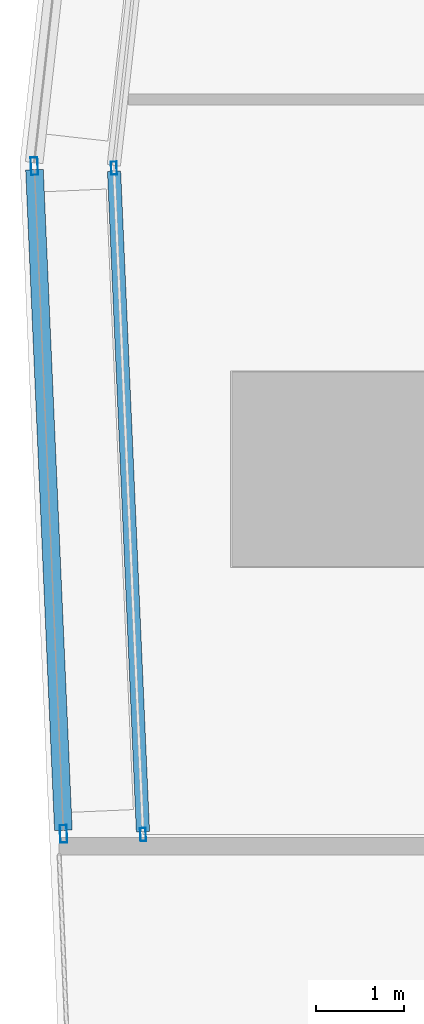
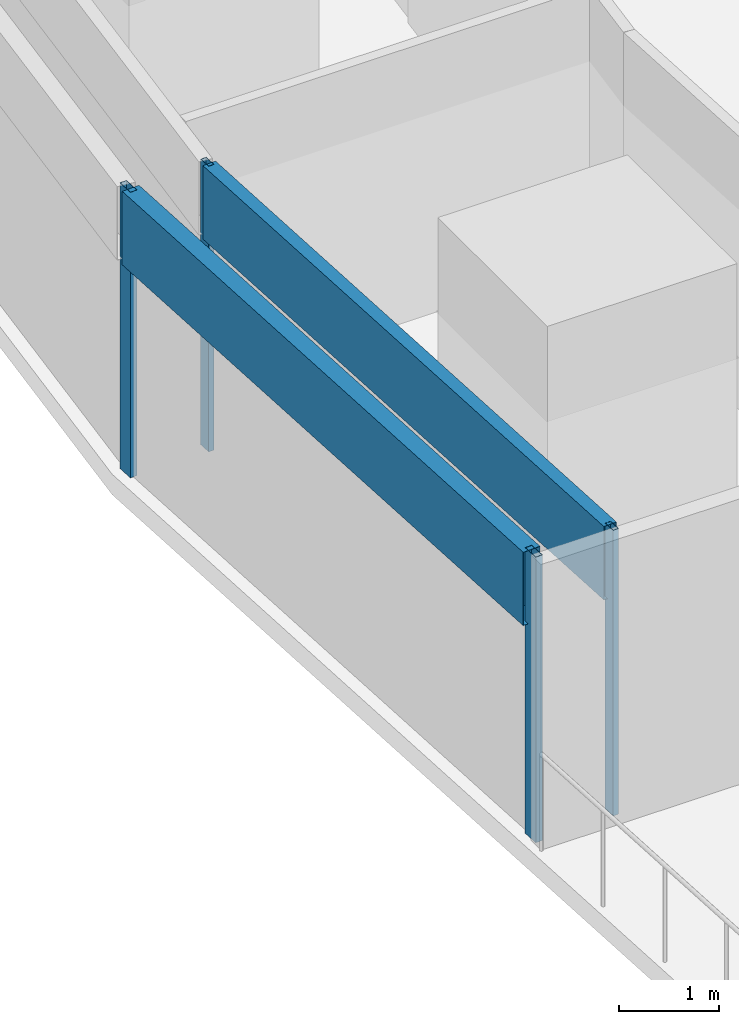
# One storey, part 12 of 42: 6 members, 2 elements without a shape of their own.
"""IFC4 building model written with IfcOpenShell, lengths in metres."""

from ifc_helpers import new_model, si_unit, direction, frame, origin, origin_2d, place, context, subcontext, project, spatial, hollow_rectangle, extrude, material, material_profile, profile_set, type_object, element, aggregate, save


model = new_model("IFC4")

# Units and contexts
model_context = context("Model", 3, precision=1e-05, world=origin(), true_north=direction((0.0, 1.0)))
body_context = subcontext(model_context, "Body", "Model", "MODEL_VIEW")
ifc_project = project(units=[si_unit("LENGTHUNIT", "METRE"), si_unit("AREAUNIT", "SQUARE_METRE"), si_unit("VOLUMEUNIT", "CUBIC_METRE"), si_unit("PLANEANGLEUNIT", "RADIAN"), si_unit("MASSUNIT", "GRAM", prefix="KILO")], contexts=[model_context])

# Site, building, storey
site_placement = place(None, origin())
site = spatial("IfcSite", under=ifc_project, at=site_placement, CompositionType="ELEMENT")
building_placement = place(site_placement, origin())
building = spatial("IfcBuilding", under=site, at=building_placement, Name="Rekha Terrace Tower", CompositionType="ELEMENT")
storey_placement = place(building_placement, frame((0.0, 0.0, 55.39990234375)))
storey = spatial("IfcBuildingStorey", under=building, at=storey_placement, Name="L13", CompositionType="ELEMENT", Elevation=55.39990234375)

# Curtain wall, members
ifc_material_1 = material(Name="Aluminium framing", Category="aluminium")
curtain_wall_type_1 = type_object("IfcCurtainWallType", Name="CW1 double skin inner glazing", PredefinedType="USERDEFINED", material=ifc_material_1)
curtain_wall_1_placement = place(storey_placement, origin())
curtain_wall_1 = element("IfcCurtainWall", 1, at=curtain_wall_1_placement, inside=storey, type_object=curtain_wall_type_1, Name="CW1 double skin inner glazing", ObjectType="DOUBLE SKIN INNER GLAZING", PredefinedType="USERDEFINED")
ifc_material_2 = material(Name="Aluminium mullion section", Category="aluminium")
ifc_material_profile_1 = material_profile(ifc_material_2, hollow_rectangle(XDim=0.06494140625, YDim=0.14990234375, WallThickness=0.00390625, at=origin_2d()), Name="AL RHS 65x150")
ifc_profile_set_1 = profile_set([ifc_material_profile_1], Name="Aluminium mullion section")
member_type_1 = type_object("IfcMemberType", Name="CW1 mullion RHS 65 x 150", PredefinedType="MULLION", material=ifc_profile_set_1)
member_1_placement = place(storey_placement, frame((5.964111328125, 45.4111328125, 0.0), z_axis=(0.0, 0.0, 1.0), x_axis=(0.999045462132, 0.043682543355, 0.0)))
member_1 = element("IfcMember", 2, at=member_1_placement, type_object=member_type_1, Name="CW1 mullion 1", PredefinedType="MULLION", context=body_context, shape_type="SweptSolid", body=[
    extrude(hollow_rectangle(XDim=0.06494140625, YDim=0.14990234375, WallThickness=0.00390625, at=origin_2d()), origin(), (0.0, 0.0, 1.0), 3.5),
])
member_2_placement = place(storey_placement, frame((6.294189453125, 37.862548828125, 0.0), z_axis=(0.0, 0.0, 1.0), x_axis=(0.999045462132, 0.043682543355, 0.0)))
member_2 = element("IfcMember", 3, at=member_2_placement, type_object=member_type_1, Name="CW1 mullion 2", PredefinedType="MULLION", context=body_context, shape_type="SweptSolid", body=[
    extrude(hollow_rectangle(XDim=0.06494140625, YDim=0.14990234375, WallThickness=0.00390625, at=origin_2d()), origin(), (0.0, 0.0, 1.0), 3.5),
])
ifc_material_3 = material(Name="Insulated aluminium spandrel box", Category="aluminium")
ifc_material_profile_2 = material_profile(ifc_material_3, hollow_rectangle(XDim=0.14990234375, YDim=0.89990234375, WallThickness=0.0029296875, at=origin_2d()), Name="AL SPANDREL BOX 150x900")
ifc_profile_set_2 = profile_set([ifc_material_profile_2], Name="Insulated aluminium spandrel box")
member_type_2 = type_object("IfcMemberType", Name="CW1 spandrel transom 150 x 900", PredefinedType="USERDEFINED", material=ifc_profile_set_2)
member_3_placement = place(storey_placement, frame((5.96533203125, 45.378662109375, 3.050048828125), z_axis=(0.04370595347, -0.999044438267, 0.0), x_axis=(0.999044438267, 0.04370595347, 0.0)))
member_3 = element("IfcMember", 4, at=member_3_placement, type_object=member_type_2, Name="CW1 spandrel transom 1", ObjectType="TRANSOM", PredefinedType="USERDEFINED", context=body_context, shape_type="SweptSolid", body=[
    extrude(hollow_rectangle(XDim=0.14990234375, YDim=0.89990234375, WallThickness=0.0029296875, at=origin_2d()), origin(), (0.0, 0.0, 1.0), 7.49072265625),
])
aggregate(curtain_wall_1, [member_1, member_2, member_3])

curtain_wall_type_2 = type_object("IfcCurtainWallType", Name="CW2 double skin outer glazing", PredefinedType="USERDEFINED", material=ifc_material_1)
curtain_wall_2_placement = place(storey_placement, origin())
curtain_wall_2 = element("IfcCurtainWall", 5, at=curtain_wall_2_placement, inside=storey, type_object=curtain_wall_type_2, Name="CW2 double skin outer glazing", ObjectType="DOUBLE SKIN OUTER GLAZING", PredefinedType="USERDEFINED")
ifc_material_profile_3 = material_profile(ifc_material_2, hollow_rectangle(XDim=0.080078125, YDim=0.199951171875, WallThickness=0.00390625, at=origin_2d()), Name="AL RHS 80x200")
ifc_profile_set_3 = profile_set([ifc_material_profile_3], Name="Aluminium mullion section")
member_type_3 = type_object("IfcMemberType", Name="CW2 mullion RHS 80 x 200", PredefinedType="MULLION", material=ifc_profile_set_3)
member_4_placement = place(storey_placement, frame((5.062255859375, 45.4345703125, 0.0), z_axis=(0.0, 0.0, 1.0), x_axis=(0.999045462129, 0.043682543424, 0.0)))
member_4 = element("IfcMember", 6, at=member_4_placement, type_object=member_type_3, Name="CW2 mullion 1", PredefinedType="MULLION", context=body_context, shape_type="SweptSolid", body=[
    extrude(hollow_rectangle(XDim=0.080078125, YDim=0.199951171875, WallThickness=0.00390625, at=origin_2d()), origin(), (0.0, 0.0, 1.0), 3.5),
])
member_5_placement = place(storey_placement, frame((5.392822265625, 37.869873046875, 0.0), z_axis=(0.0, 0.0, 1.0), x_axis=(0.999045462129, 0.043682543424, 0.0)))
member_5 = element("IfcMember", 7, at=member_5_placement, type_object=member_type_3, Name="CW2 mullion 2", PredefinedType="MULLION", context=body_context, shape_type="SweptSolid", body=[
    extrude(hollow_rectangle(XDim=0.080078125, YDim=0.199951171875, WallThickness=0.00390625, at=origin_2d()), origin(), (0.0, 0.0, 1.0), 3.5),
])
ifc_material_profile_4 = material_profile(ifc_material_3, hollow_rectangle(XDim=0.199951171875, YDim=0.89990234375, WallThickness=0.0029296875, at=origin_2d()), Name="AL SPANDREL BOX 200x900")
ifc_profile_set_4 = profile_set([ifc_material_profile_4], Name="Insulated aluminium spandrel box")
member_type_4 = type_object("IfcMemberType", Name="CW2 spandrel transom 200 x 900", PredefinedType="USERDEFINED", material=ifc_profile_set_4)
member_6_placement = place(storey_placement, frame((5.06396484375, 45.39453125, 3.050048828125), z_axis=(0.043667736134, -0.999046109457, 0.0), x_axis=(0.999046109457, 0.043667736134, 0.0)))
member_6 = element("IfcMember", 8, at=member_6_placement, type_object=member_type_4, Name="CW2 spandrel transom 1", ObjectType="TRANSOM", PredefinedType="USERDEFINED", context=body_context, shape_type="SweptSolid", body=[
    extrude(hollow_rectangle(XDim=0.199951171875, YDim=0.89990234375, WallThickness=0.0029296875, at=origin_2d()), origin(), (0.0, 0.0, 1.0), 7.49169921875),
])
aggregate(curtain_wall_2, [member_4, member_5, member_6])

save(model, "model.ifc")
